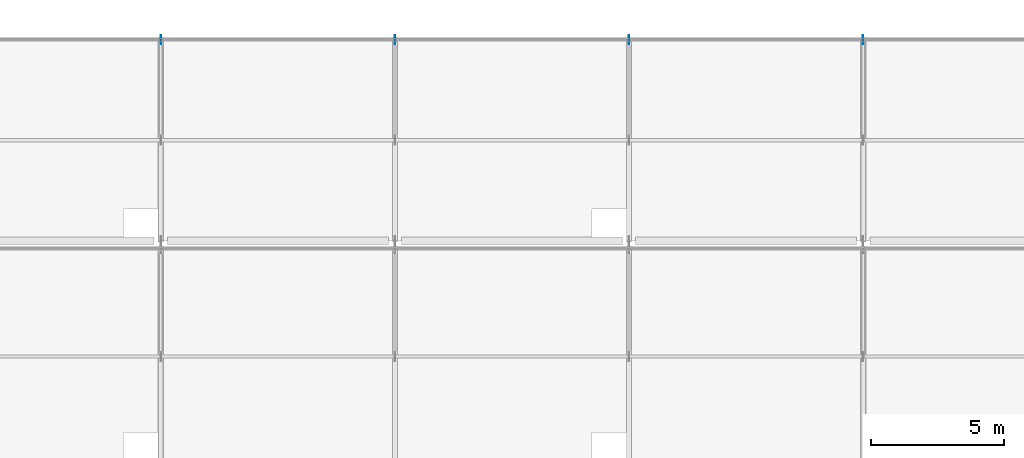
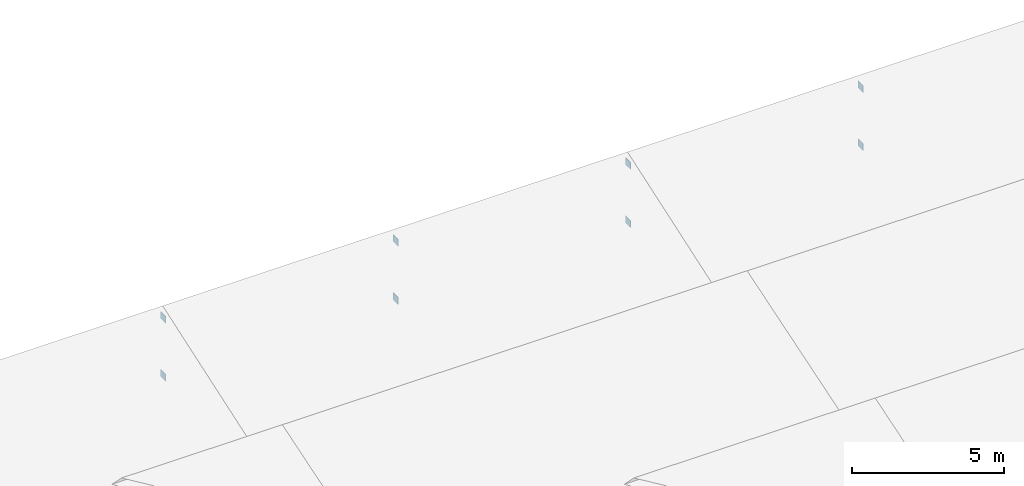
# One storey, part 35 of 40: 8 plates.
"""IFC4 building model written with IfcOpenShell, lengths in metres."""

from ifc_helpers import new_model, si_unit, direction, frame, origin, origin_2d, place, context, subcontext, project, spatial, rectangle, extrude, material, layer, layer_set, type_object, element, save


model = new_model("IFC4")

# Units and contexts
model_context = context("Model", 3, precision=1e-05, world=origin(), true_north=direction((0.0, 1.0)))
body_context = subcontext(model_context, "Body", "Model", "MODEL_VIEW")
ifc_project = project(units=[si_unit("LENGTHUNIT", "METRE"), si_unit("AREAUNIT", "SQUARE_METRE"), si_unit("VOLUMEUNIT", "CUBIC_METRE"), si_unit("PLANEANGLEUNIT", "RADIAN"), si_unit("MASSUNIT", "GRAM", prefix="KILO")], contexts=[model_context])

# Site, building, storey
site_placement = place(None, origin())
site = spatial("IfcSite", under=ifc_project, at=site_placement, CompositionType="ELEMENT")
building_placement = place(site_placement, origin())
building = spatial("IfcBuilding", under=site, at=building_placement, Name="Brinegate Botanical Conservatory", CompositionType="ELEMENT")
storey_placement = place(building_placement, frame((0.0, 0.0, 19.199951171875)))
storey = spatial("IfcBuildingStorey", under=building, at=storey_placement, Name="L05", CompositionType="ELEMENT", Elevation=19.199951171875)

# Plates
ifc_material = material(Name="Welded node steel Q355GJ / S355", Category="steel")
ifc_layer = layer(ifc_material, 0.01806640625, Name="Welded node steel Q355GJ / S355", Category="steel")
ifc_layer_set = layer_set([ifc_layer], Name="Welded node steel Q355GJ / S355")
plate_type = type_object("IfcPlateType", Name="Plate_GS-02", PredefinedType="USERDEFINED", material=ifc_layer_set)
for number, where, z_axis, x_axis, name in (
    (1, (86.0, 111.14990234375, -0.1201171875), (0.0, 0.0, 1.0), (1.0, 0.0, 0.0), "Sawtooth truss gusset node GS-02 B3.T5.NB"),
    (2, (86.0, 111.14990234375, 2.2099609375), (0.0, 0.0, 1.0), (1.0, 0.0, 0.0), "Sawtooth truss gusset node GS-02 B3.T5.NT"),
    (3, (94.800048828125, 111.14990234375, -0.1201171875), (0.0, 0.0, 1.0), (1.0, 0.0, 0.0), "Sawtooth truss gusset node GS-02 B3.T6.NB"),
    (4, (94.800048828125, 111.14990234375, 2.2099609375), (0.0, 0.0, 1.0), (1.0, 0.0, 0.0), "Sawtooth truss gusset node GS-02 B3.T6.NT"),
    (5, (103.60009765625, 111.14990234375, -0.1201171875), (0.0, 0.0, 1.0), (1.0, 0.0, 0.0), "Sawtooth truss gusset node GS-02 B3.T7.NB"),
    (6, (103.60009765625, 111.14990234375, 2.2099609375), (0.0, 0.0, 1.0), (1.0, 0.0, 0.0), "Sawtooth truss gusset node GS-02 B3.T7.NT"),
    (7, (112.39990234375, 111.14990234375, -0.1201171875), (0.0, 0.0, 1.0), (1.0, 0.0, 0.0), "Sawtooth truss gusset node GS-02 B3.T8.NB"),
    (8, (112.39990234375, 111.14990234375, 2.2099609375), (0.0, 0.0, 1.0), (1.0, 0.0, 0.0), "Sawtooth truss gusset node GS-02 B3.T8.NT"),
):
    element("IfcPlate", number, at=place(storey_placement, frame(where, z_axis=z_axis, x_axis=x_axis)), inside=storey, type_object=plate_type, Name=name, ObjectType="GUSSET PLATE", PredefinedType="USERDEFINED", context=body_context, shape_type="SweptSolid", body=[
        extrude(rectangle(XDim=0.01806640625, YDim=0.340087890625, at=origin_2d()), origin(), (0.0, 0.0, 1.0), 0.280029296875),
    ])

save(model, "model.ifc")
